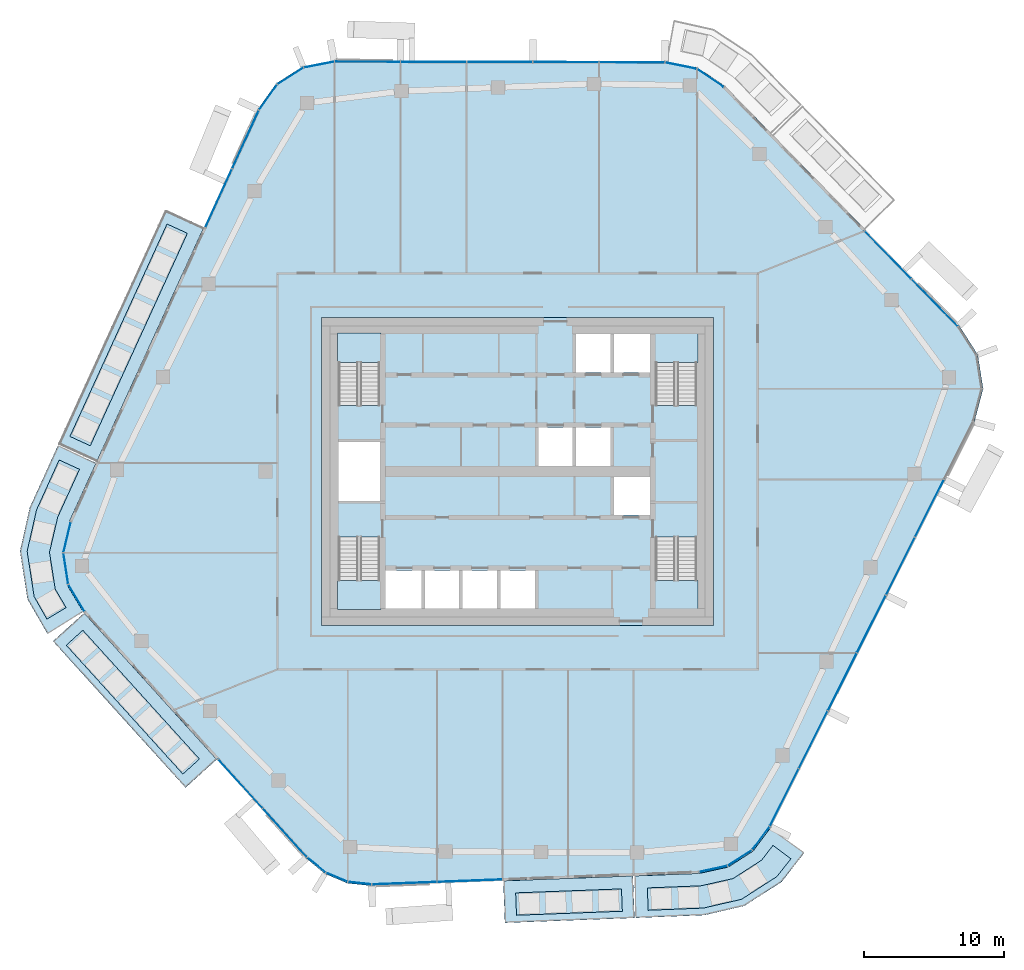
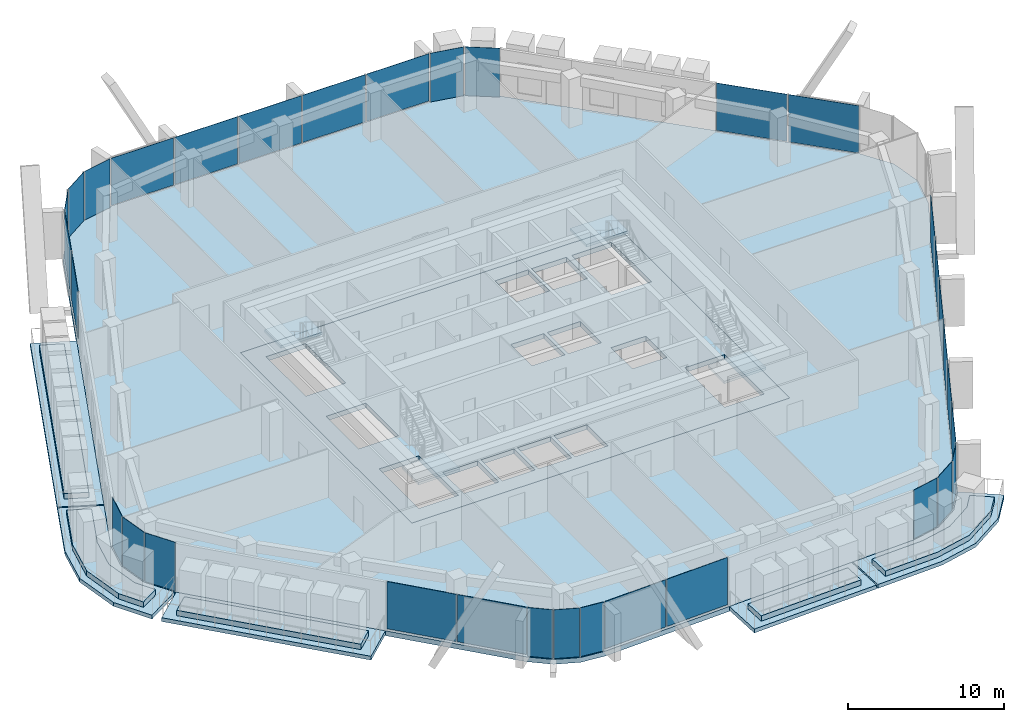
# One storey, part 11 of 24: 33 plates, 16 slabs, 15 elements without a shape of their own.
"""IFC4 building model written with IfcOpenShell, lengths in metres."""

from ifc_helpers import new_model, si_unit, direction, frame, origin, origin_2d, place, context, subcontext, project, spatial, polyline, rectangle, outline, extrude, material, layer, layer_set, type_object, element, aggregate, save


model = new_model("IFC4")

# Units and contexts
model_context = context("Model", 3, precision=1e-05, world=origin(), true_north=direction((0.0, 1.0)))
body_context = subcontext(model_context, "Body", "Model", "MODEL_VIEW")
ifc_project = project(units=[si_unit("LENGTHUNIT", "METRE"), si_unit("AREAUNIT", "SQUARE_METRE"), si_unit("VOLUMEUNIT", "CUBIC_METRE"), si_unit("PLANEANGLEUNIT", "RADIAN"), si_unit("MASSUNIT", "GRAM", prefix="KILO")], contexts=[model_context])

# Site, building, storey
site_placement = place(None, origin())
site = spatial("IfcSite", under=ifc_project, at=site_placement, CompositionType="ELEMENT")
building_placement = place(site_placement, origin())
building = spatial("IfcBuilding", under=site, at=building_placement, Name="Dongbaek Canopy Tower", CompositionType="ELEMENT")
storey_placement = place(building_placement, frame((0.0, 0.0, 311.0)))
storey = spatial("IfcBuildingStorey", under=building, at=storey_placement, Name="L66", CompositionType="ELEMENT", Elevation=311.0)

# Slabs
ifc_material_1 = material(Name="Concrete C40/50", Category="concrete")
ifc_layer_1 = layer(ifc_material_1, 0.300048828125)
ifc_layer_set_1 = layer_set([ifc_layer_1], Name="Balcony slab 300")
slab_type_1 = type_object("IfcSlabType", Name="Balcony slab 300", PredefinedType="FLOOR", material=ifc_layer_set_1)
slab_1_placement = place(storey_placement, frame((0.0, 0.0, -0.300048828125)))
element("IfcSlab", 1, at=slab_1_placement, inside=storey, type_object=slab_type_1, Name="Balcony L66 2", PredefinedType="FLOOR", context=body_context, shape_type="SweptSolid", body=[
    extrude(outline(polyline([(-22.43017578125, 17.41015625), (-30.07373046875, 0.687744140625), (-32.80224609375, 1.934814453125), (-25.15869140625, 18.657470703125), (-22.43017578125, 17.41015625)])), origin(), (0.0, 0.0, 1.0), 0.300048828125),
])
slab_2_placement = place(storey_placement, frame((0.0, 0.0, -0.300048828125)))
element("IfcSlab", 2, at=slab_2_placement, inside=storey, type_object=slab_type_1, Name="Balcony L66 6", PredefinedType="FLOOR", context=body_context, shape_type="SweptSolid", body=[
    extrude(outline(polyline([(-30.115234375, 0.5966796875), (-32.015625, -3.56103515625), (-32.5537109375, -5.812255859375), (-32.19970703125, -8.099609375), (-31.031982421875, -10.039794921875), (-33.6025390625, -11.5869140625), (-35.020263671875, -9.12158203125), (-35.55126953125, -5.690673828125), (-34.852294921875, -2.584228515625), (-32.84375, 1.843994140625), (-30.115234375, 0.5966796875)])), origin(), (0.0, 0.0, 1.0), 0.300048828125),
])
slab_3_placement = place(storey_placement, frame((0.0, 0.0, -0.300048828125)))
element("IfcSlab", 3, at=slab_3_placement, inside=storey, type_object=slab_type_1, Name="Balcony L66 3", PredefinedType="FLOOR", context=body_context, shape_type="SweptSolid", body=[
    extrude(outline(polyline([(-30.97265625, -10.119873046875), (-21.50048828125, -20.580078125), (-23.724365234375, -22.59375), (-33.196533203125, -12.133544921875), (-30.97265625, -10.119873046875)])), origin(), (0.0, 0.0, 1.0), 0.300048828125),
])
slab_4_placement = place(storey_placement, frame((0.0, 0.0, -0.300048828125)))
element("IfcSlab", 4, at=slab_4_placement, inside=storey, type_object=slab_type_1, Name="Balcony L66 4", PredefinedType="FLOOR", context=body_context, shape_type="SweptSolid", body=[
    extrude(outline(polyline([(-1.025146484375, -29.25341796875), (8.2333984375, -28.904052734375), (8.3466796875, -31.90185546875), (-0.912109375, -32.25146484375), (-1.025146484375, -29.25341796875)])), origin(), (0.0, 0.0, 1.0), 0.300048828125),
])
slab_5_placement = place(storey_placement, frame((0.0, 0.0, -0.300048828125)))
element("IfcSlab", 5, at=slab_5_placement, inside=storey, type_object=slab_type_1, Name="Balcony L66 7", PredefinedType="FLOOR", context=body_context, shape_type="SweptSolid", body=[
    extrude(outline(polyline([(8.33349609375, -28.900390625), (12.962646484375, -28.7255859375), (15.0380859375, -28.27099609375), (16.82470703125, -27.12158203125), (18.06884765625, -25.46142578125), (20.469482421875, -27.2607421875), (18.868896484375, -29.3173828125), (16.188720703125, -31.04150390625), (13.341796875, -31.70166015625), (8.446533203125, -31.898193359375), (8.33349609375, -28.900390625)])), origin(), (0.0, 0.0, 1.0), 0.300048828125),
])

# Curtain wall, plates
ifc_material_2 = material(Name="Aluminium 6063-T6 pale anodised", Category="aluminium")
ifc_layer_2 = layer(ifc_material_2, 0.199951171875)
ifc_layer_set_2 = layer_set([ifc_layer_2], Name="CW-1 unitised tower curtain wall")
curtain_wall_type = type_object("IfcCurtainWallType", Name="CW-1 unitised tower curtain wall", PredefinedType="NOTDEFINED", material=ifc_layer_set_2)
curtain_wall_1_placement = place(storey_placement, origin())
curtain_wall_1 = element("IfcCurtainWall", 6, at=curtain_wall_1_placement, inside=storey, type_object=curtain_wall_type, Name="CW-1 curtain wall F0.1", PredefinedType="NOTDEFINED")
ifc_material_3 = material(Name="Clear laminated glass", Category="glass")
ifc_layer_3 = layer(ifc_material_3, 0.028076171875)
ifc_layer_set_3 = layer_set([ifc_layer_3], Name="CW-1 glazed panel 28")
plate_type = type_object("IfcPlateType", Name="CW-1 glazed panel 28", PredefinedType="CURTAIN_PANEL", material=ifc_layer_set_3)
plate_1_placement = place(storey_placement, frame((29.800537109375, 12.048095703125, 0.1201171875), z_axis=(0.0, 0.0, 1.0), x_axis=(-0.699349233203, 0.714780141035, 0.0)))
plate_1 = element("IfcPlate", 7, at=plate_1_placement, type_object=plate_type, Name="CW-1 panel F0.1.1.1", PredefinedType="CURTAIN_PANEL", context=body_context, shape_type="SweptSolid", body=[
    extrude(rectangle(XDim=4.69287109375, YDim=0.028076171875, at=origin_2d()), origin(), (0.0, 0.0, 1.0), 3.699951171875),
])
plate_2_placement = place(storey_placement, frame((26.456298828125, 15.46630859375, 0.1201171875), z_axis=(0.0, 0.0, 1.0), x_axis=(-0.699349233203, 0.714780141035, 0.0)))
plate_2 = element("IfcPlate", 8, at=plate_2_placement, type_object=plate_type, Name="CW-1 panel F0.1.2.1", PredefinedType="CURTAIN_PANEL", context=body_context, shape_type="SweptSolid", body=[
    extrude(rectangle(XDim=4.703369140625, YDim=0.028076171875, at=origin_2d()), origin(), (0.0, 0.0, 1.0), 3.699951171875),
])
aggregate(curtain_wall_1, [plate_1, plate_2])

curtain_wall_2_placement = place(storey_placement, origin())
curtain_wall_2 = element("IfcCurtainWall", 9, at=curtain_wall_2_placement, inside=storey, type_object=curtain_wall_type, Name="CW-1 curtain wall K1.1", PredefinedType="NOTDEFINED")
plate_3_placement = place(storey_placement, frame((13.779541015625, 28.09326171875, 0.0), z_axis=(0.0, 0.0, 1.0), x_axis=(-0.826588605732, 0.562806606992, 0.0)))
plate_3 = element("IfcPlate", 10, at=plate_3_placement, type_object=plate_type, Name="CW-1 panel K1.1.1.1", PredefinedType="CURTAIN_PANEL", context=body_context, shape_type="SweptSolid", body=[
    extrude(rectangle(XDim=2.252685546875, YDim=0.028076171875, at=origin_2d()), origin(), (0.0, 0.0, 1.0), 3.820068359375),
])
plate_4_placement = place(storey_placement, frame((11.6689453125, 28.983642578125, 0.0), z_axis=(0.0, 0.0, 1.0), x_axis=(-0.979924768764, 0.199367619142, 0.0)))
plate_4 = element("IfcPlate", 11, at=plate_4_placement, type_object=plate_type, Name="CW-1 panel K1.1.2.1", PredefinedType="CURTAIN_PANEL", context=body_context, shape_type="SweptSolid", body=[
    extrude(rectangle(XDim=2.252685546875, YDim=0.028076171875, at=origin_2d()), origin(), (0.0, 0.0, 1.0), 3.820068359375),
])
aggregate(curtain_wall_2, [plate_3, plate_4])

curtain_wall_3_placement = place(storey_placement, origin())
curtain_wall_3 = element("IfcCurtainWall", 12, at=curtain_wall_3_placement, inside=storey, type_object=curtain_wall_type, Name="CW-1 curtain wall F1.1", PredefinedType="NOTDEFINED")
plate_5_placement = place(storey_placement, frame((8.165771484375, 29.2216796875, 0.1201171875), z_axis=(0.0, 0.0, 1.0), x_axis=(-0.999997623445, 0.002180161438, 0.0)))
plate_5 = element("IfcPlate", 13, at=plate_5_placement, type_object=plate_type, Name="CW-1 panel F1.1.1.1", PredefinedType="CURTAIN_PANEL", context=body_context, shape_type="SweptSolid", body=[
    extrude(rectangle(XDim=4.63232421875, YDim=0.028076171875, at=origin_2d()), origin(), (0.0, 0.0, 1.0), 3.699951171875),
])
plate_6_placement = place(storey_placement, frame((3.444580078125, 29.23193359375, 0.1201171875), z_axis=(0.0, 0.0, 1.0), x_axis=(-0.999997623445, 0.002180161438, 0.0)))
plate_6 = element("IfcPlate", 14, at=plate_6_placement, type_object=plate_type, Name="CW-1 panel F1.1.2.1", PredefinedType="CURTAIN_PANEL", context=body_context, shape_type="SweptSolid", body=[
    extrude(rectangle(XDim=4.64208984375, YDim=0.028076171875, at=origin_2d()), origin(), (0.0, 0.0, 1.0), 3.699951171875),
])
plate_7_placement = place(storey_placement, frame((-1.281494140625, 29.242431640625, 0.1201171875), z_axis=(0.0, 0.0, 1.0), x_axis=(-0.999997623445, 0.002180161438, 0.0)))
plate_7 = element("IfcPlate", 15, at=plate_7_placement, type_object=plate_type, Name="CW-1 panel F1.1.3.1", PredefinedType="CURTAIN_PANEL", context=body_context, shape_type="SweptSolid", body=[
    extrude(rectangle(XDim=4.64208984375, YDim=0.028076171875, at=origin_2d()), origin(), (0.0, 0.0, 1.0), 3.699951171875),
])
plate_8_placement = place(storey_placement, frame((-6.0078125, 29.252685546875, 0.1201171875), z_axis=(0.0, 0.0, 1.0), x_axis=(-0.999997623445, 0.002180161438, 0.0)))
plate_8 = element("IfcPlate", 16, at=plate_8_placement, type_object=plate_type, Name="CW-1 panel F1.1.4.1", PredefinedType="CURTAIN_PANEL", context=body_context, shape_type="SweptSolid", body=[
    extrude(rectangle(XDim=4.64208984375, YDim=0.028076171875, at=origin_2d()), origin(), (0.0, 0.0, 1.0), 3.699951171875),
])
plate_9_placement = place(storey_placement, frame((-10.72900390625, 29.262939453125, 0.1201171875), z_axis=(0.0, 0.0, 1.0), x_axis=(-0.999997623445, 0.002180161438, 0.0)))
plate_9 = element("IfcPlate", 17, at=plate_9_placement, type_object=plate_type, Name="CW-1 panel F1.1.5.1", PredefinedType="CURTAIN_PANEL", context=body_context, shape_type="SweptSolid", body=[
    extrude(rectangle(XDim=4.632568359375, YDim=0.028076171875, at=origin_2d()), origin(), (0.0, 0.0, 1.0), 3.699951171875),
])
aggregate(curtain_wall_3, [plate_5, plate_6, plate_7, plate_8, plate_9])

curtain_wall_4_placement = place(storey_placement, origin())
curtain_wall_4 = element("IfcCurtainWall", 18, at=curtain_wall_4_placement, inside=storey, type_object=curtain_wall_type, Name="CW-1 curtain wall K2.1", PredefinedType="NOTDEFINED")
plate_10_placement = place(storey_placement, frame((-14.1904296875, 29.0576171875, 0.0), z_axis=(0.0, 0.0, 1.0), x_axis=(-0.982281140871, -0.187413340747, 0.0)))
plate_10 = element("IfcPlate", 19, at=plate_10_placement, type_object=plate_type, Name="CW-1 panel K2.1.1.1", PredefinedType="CURTAIN_PANEL", context=body_context, shape_type="SweptSolid", body=[
    extrude(rectangle(XDim=2.161865234375, YDim=0.028076171875, at=origin_2d()), origin(), (0.0, 0.0, 1.0), 3.820068359375),
])
plate_11_placement = place(storey_placement, frame((-16.234619140625, 28.243896484375, 0.0), z_axis=(0.0, 0.0, 1.0), x_axis=(-0.841930753332, -0.539585587829, 0.0)))
plate_11 = element("IfcPlate", 20, at=plate_11_placement, type_object=plate_type, Name="CW-1 panel K2.1.2.1", PredefinedType="CURTAIN_PANEL", context=body_context, shape_type="SweptSolid", body=[
    extrude(rectangle(XDim=2.152099609375, YDim=0.028076171875, at=origin_2d()), origin(), (0.0, 0.0, 1.0), 3.820068359375),
])
plate_12_placement = place(storey_placement, frame((-17.827880859375, 26.726318359375, 0.0), z_axis=(0.0, 0.0, 1.0), x_axis=(-0.580575111889, -0.814206693325, 0.0)))
plate_12 = element("IfcPlate", 21, at=plate_12_placement, type_object=plate_type, Name="CW-1 panel K2.1.3.1", PredefinedType="CURTAIN_PANEL", context=body_context, shape_type="SweptSolid", body=[
    extrude(rectangle(XDim=2.161865234375, YDim=0.028076171875, at=origin_2d()), origin(), (0.0, 0.0, 1.0), 3.820068359375),
])
aggregate(curtain_wall_4, [plate_10, plate_11, plate_12])

curtain_wall_5_placement = place(storey_placement, origin())
curtain_wall_5 = element("IfcCurtainWall", 22, at=curtain_wall_5_placement, inside=storey, type_object=curtain_wall_type, Name="CW-1 curtain wall F2.1", PredefinedType="NOTDEFINED")
plate_13_placement = place(storey_placement, frame((-19.4384765625, 23.71484375, 0.1201171875), z_axis=(0.0, 0.0, 1.0), x_axis=(-0.415712926909, -0.909495883664, 0.0)))
plate_13 = element("IfcPlate", 23, at=plate_13_placement, type_object=plate_type, Name="CW-1 panel F2.1.1.1", PredefinedType="CURTAIN_PANEL", context=body_context, shape_type="SweptSolid", body=[
    extrude(rectangle(XDim=4.528076171875, YDim=0.028076171875, at=origin_2d()), origin(), (0.0, 0.0, 1.0), 3.699951171875),
])
plate_14_placement = place(storey_placement, frame((-21.357666015625, 19.515869140625, 0.1201171875), z_axis=(0.0, 0.0, 1.0), x_axis=(-0.415712926909, -0.909495883664, 0.0)))
plate_14 = element("IfcPlate", 24, at=plate_14_placement, type_object=plate_type, Name="CW-1 panel F2.1.2.1", PredefinedType="CURTAIN_PANEL", context=body_context, shape_type="SweptSolid", body=[
    extrude(rectangle(XDim=4.53759765625, YDim=0.028076171875, at=origin_2d()), origin(), (0.0, 0.0, 1.0), 3.699951171875),
])
aggregate(curtain_wall_5, [plate_13, plate_14])

curtain_wall_6_placement = place(storey_placement, origin())
curtain_wall_6 = element("IfcCurtainWall", 25, at=curtain_wall_6_placement, inside=storey, type_object=curtain_wall_type, Name="CW-1 curtain wall K3.1", PredefinedType="NOTDEFINED")
plate_15_placement = place(storey_placement, frame((-32.186279296875, -4.705078125, 0.0), z_axis=(0.0, 0.0, 1.0), x_axis=(-0.232482028187, -0.972600692253, 0.0)))
plate_15 = element("IfcPlate", 26, at=plate_15_placement, type_object=plate_type, Name="CW-1 panel K3.1.1.1", PredefinedType="CURTAIN_PANEL", context=body_context, shape_type="SweptSolid", body=[
    extrude(rectangle(XDim=2.201171875, YDim=0.028076171875, at=origin_2d()), origin(), (0.0, 0.0, 1.0), 3.820068359375),
])
plate_16_placement = place(storey_placement, frame((-32.27783203125, -6.940673828125, 0.0), z_axis=(0.0, 0.0, 1.0), x_axis=(0.15296362008, -0.988231820441, 0.0)))
plate_16 = element("IfcPlate", 27, at=plate_16_placement, type_object=plate_type, Name="CW-1 panel K3.1.2.1", PredefinedType="CURTAIN_PANEL", context=body_context, shape_type="SweptSolid", body=[
    extrude(rectangle(XDim=2.191162109375, YDim=0.028076171875, at=origin_2d()), origin(), (0.0, 0.0, 1.0), 3.820068359375),
])
plate_17_placement = place(storey_placement, frame((-31.5146484375, -9.0439453125, 0.0), z_axis=(0.0, 0.0, 1.0), x_axis=(0.51564634211, -0.856801523031, 0.0)))
plate_17 = element("IfcPlate", 28, at=plate_17_placement, type_object=plate_type, Name="CW-1 panel K3.1.3.1", PredefinedType="CURTAIN_PANEL", context=body_context, shape_type="SweptSolid", body=[
    extrude(rectangle(XDim=2.201171875, YDim=0.028076171875, at=origin_2d()), origin(), (0.0, 0.0, 1.0), 3.820068359375),
])
aggregate(curtain_wall_6, [plate_15, plate_16, plate_17])

curtain_wall_7_placement = place(storey_placement, origin())
curtain_wall_7 = element("IfcCurtainWall", 29, at=curtain_wall_7_placement, inside=storey, type_object=curtain_wall_type, Name="CW-1 curtain wall F3.1", PredefinedType="NOTDEFINED")
plate_18_placement = place(storey_placement, frame((-19.802978515625, -22.305908203125, 0.1201171875), z_axis=(0.0, 0.0, 1.0), x_axis=(0.671224526112, -0.741254096478, 0.0)))
plate_18 = element("IfcPlate", 30, at=plate_18_placement, type_object=plate_type, Name="CW-1 panel F3.1.1.1", PredefinedType="CURTAIN_PANEL", context=body_context, shape_type="SweptSolid", body=[
    extrude(rectangle(XDim=4.6533203125, YDim=0.028076171875, at=origin_2d()), origin(), (0.0, 0.0, 1.0), 3.699951171875),
])
plate_19_placement = place(storey_placement, frame((-16.625732421875, -25.814697265625, 0.1201171875), z_axis=(0.0, 0.0, 1.0), x_axis=(0.671224526112, -0.741254096478, 0.0)))
plate_19 = element("IfcPlate", 31, at=plate_19_placement, type_object=plate_type, Name="CW-1 panel F3.1.2.1", PredefinedType="CURTAIN_PANEL", context=body_context, shape_type="SweptSolid", body=[
    extrude(rectangle(XDim=4.64599609375, YDim=0.028076171875, at=origin_2d()), origin(), (0.0, 0.0, 1.0), 3.699951171875),
])
aggregate(curtain_wall_7, [plate_18, plate_19])

curtain_wall_8_placement = place(storey_placement, origin())
curtain_wall_8 = element("IfcCurtainWall", 32, at=curtain_wall_8_placement, inside=storey, type_object=curtain_wall_type, Name="CW-1 curtain wall K4.1", PredefinedType="NOTDEFINED")
plate_20_placement = place(storey_placement, frame((-14.375732421875, -28.11376953125, 0.0), z_axis=(0.0, 0.0, 1.0), x_axis=(0.771568100588, -0.636146733195, 0.0)))
plate_20 = element("IfcPlate", 33, at=plate_20_placement, type_object=plate_type, Name="CW-1 panel K4.1.1.1", PredefinedType="CURTAIN_PANEL", context=body_context, shape_type="SweptSolid", body=[
    extrude(rectangle(XDim=1.63330078125, YDim=0.028076171875, at=origin_2d()), origin(), (0.0, 0.0, 1.0), 3.820068359375),
])
plate_21_placement = place(storey_placement, frame((-12.92529296875, -28.991943359375, 0.0), z_axis=(0.0, 0.0, 1.0), x_axis=(0.921602198627, -0.388135784855, 0.0)))
plate_21 = element("IfcPlate", 34, at=plate_21_placement, type_object=plate_type, Name="CW-1 panel K4.1.2.1", PredefinedType="CURTAIN_PANEL", context=body_context, shape_type="SweptSolid", body=[
    extrude(rectangle(XDim=1.6259765625, YDim=0.028076171875, at=origin_2d()), origin(), (0.0, 0.0, 1.0), 3.820068359375),
])
plate_22_placement = place(storey_placement, frame((-11.283935546875, -29.416015625, 0.0), z_axis=(0.0, 0.0, 1.0), x_axis=(0.994203592294, -0.107513799439, 0.0)))
plate_22 = element("IfcPlate", 35, at=plate_22_placement, type_object=plate_type, Name="CW-1 panel K4.1.3.1", PredefinedType="CURTAIN_PANEL", context=body_context, shape_type="SweptSolid", body=[
    extrude(rectangle(XDim=1.63330078125, YDim=0.028076171875, at=origin_2d()), origin(), (0.0, 0.0, 1.0), 3.820068359375),
])
aggregate(curtain_wall_8, [plate_20, plate_21, plate_22])

curtain_wall_9_placement = place(storey_placement, origin())
curtain_wall_9 = element("IfcCurtainWall", 36, at=curtain_wall_9_placement, inside=storey, type_object=curtain_wall_type, Name="CW-1 curtain wall F4.1", PredefinedType="NOTDEFINED")
plate_23_placement = place(storey_placement, frame((-8.09423828125, -29.420166015625, 0.1201171875), z_axis=(0.0, 0.0, 1.0), x_axis=(0.999288649502, 0.037712000431, 0.0)))
plate_23 = element("IfcPlate", 37, at=plate_23_placement, type_object=plate_type, Name="CW-1 panel F4.1.1.1", PredefinedType="CURTAIN_PANEL", context=body_context, shape_type="SweptSolid", body=[
    extrude(rectangle(XDim=4.59130859375, YDim=0.028076171875, at=origin_2d()), origin(), (0.0, 0.0, 1.0), 3.699951171875),
])
plate_24_placement = place(storey_placement, frame((-3.41845703125, -29.24365234375, 0.1201171875), z_axis=(0.0, 0.0, 1.0), x_axis=(0.999288649502, 0.037712000431, 0.0)))
plate_24 = element("IfcPlate", 38, at=plate_24_placement, type_object=plate_type, Name="CW-1 panel F4.1.2.1", PredefinedType="CURTAIN_PANEL", context=body_context, shape_type="SweptSolid", body=[
    extrude(rectangle(XDim=4.5986328125, YDim=0.028076171875, at=origin_2d()), origin(), (0.0, 0.0, 1.0), 3.699951171875),
])
aggregate(curtain_wall_9, [plate_23, plate_24])

curtain_wall_10_placement = place(storey_placement, origin())
curtain_wall_10 = element("IfcCurtainWall", 39, at=curtain_wall_10_placement, inside=storey, type_object=curtain_wall_type, Name="CW-1 curtain wall K5.1", PredefinedType="NOTDEFINED")
plate_25_placement = place(storey_placement, frame((13.974609375, -28.401611328125, 0.0), z_axis=(0.0, 0.0, 1.0), x_axis=(0.976826650788, 0.21403199366, 0.0)))
plate_25 = element("IfcPlate", 40, at=plate_25_placement, type_object=plate_type, Name="CW-1 panel K5.1.1.1", PredefinedType="CURTAIN_PANEL", context=body_context, shape_type="SweptSolid", body=[
    extrude(rectangle(XDim=2.013671875, YDim=0.028076171875, at=origin_2d()), origin(), (0.0, 0.0, 1.0), 3.820068359375),
])
plate_26_placement = place(storey_placement, frame((15.877197265625, -27.612060546875, 0.0), z_axis=(0.0, 0.0, 1.0), x_axis=(0.841003829128, 0.541029166858, 0.0)))
plate_26 = element("IfcPlate", 41, at=plate_26_placement, type_object=plate_type, Name="CW-1 panel K5.1.2.1", PredefinedType="CURTAIN_PANEL", context=body_context, shape_type="SweptSolid", body=[
    extrude(rectangle(XDim=2.004638671875, YDim=0.028076171875, at=origin_2d()), origin(), (0.0, 0.0, 1.0), 3.820068359375),
])
plate_27_placement = place(storey_placement, frame((17.384521484375, -26.207763671875, 0.0), z_axis=(0.0, 0.0, 1.0), x_axis=(0.599740160664, 0.800194813584, 0.0)))
plate_27 = element("IfcPlate", 42, at=plate_27_placement, type_object=plate_type, Name="CW-1 panel K5.1.3.1", PredefinedType="CURTAIN_PANEL", context=body_context, shape_type="SweptSolid", body=[
    extrude(rectangle(XDim=2.013671875, YDim=0.028076171875, at=origin_2d()), origin(), (0.0, 0.0, 1.0), 3.820068359375),
])
aggregate(curtain_wall_10, [plate_25, plate_26, plate_27])

curtain_wall_11_placement = place(storey_placement, origin())
curtain_wall_11 = element("IfcCurtainWall", 43, at=curtain_wall_11_placement, inside=storey, type_object=curtain_wall_type, Name="CW-1 curtain wall F5.1", PredefinedType="NOTDEFINED")
plate_28_placement = place(storey_placement, frame((19.048828125, -23.3056640625, 0.1201171875), z_axis=(0.0, 0.0, 1.0), x_axis=(0.448598466859, 0.893733414129, 0.0)))
plate_28 = element("IfcPlate", 44, at=plate_28_placement, type_object=plate_type, Name="CW-1 panel F5.1.1.1", PredefinedType="CURTAIN_PANEL", context=body_context, shape_type="SweptSolid", body=[
    extrude(rectangle(XDim=4.532470703125, YDim=0.028076171875, at=origin_2d()), origin(), (0.0, 0.0, 1.0), 3.699951171875),
])
plate_29_placement = place(storey_placement, frame((21.121826171875, -19.17578125, 0.1201171875), z_axis=(0.0, 0.0, 1.0), x_axis=(0.448598466859, 0.893733414129, 0.0)))
plate_29 = element("IfcPlate", 45, at=plate_29_placement, type_object=plate_type, Name="CW-1 panel F5.1.2.1", PredefinedType="CURTAIN_PANEL", context=body_context, shape_type="SweptSolid", body=[
    extrude(rectangle(XDim=4.54150390625, YDim=0.028076171875, at=origin_2d()), origin(), (0.0, 0.0, 1.0), 3.699951171875),
])
plate_30_placement = place(storey_placement, frame((23.19677734375, -15.0419921875, 0.1201171875), z_axis=(0.0, 0.0, 1.0), x_axis=(0.448598466859, 0.893733414129, 0.0)))
plate_30 = element("IfcPlate", 46, at=plate_30_placement, type_object=plate_type, Name="CW-1 panel F5.1.3.1", PredefinedType="CURTAIN_PANEL", context=body_context, shape_type="SweptSolid", body=[
    extrude(rectangle(XDim=4.54150390625, YDim=0.028076171875, at=origin_2d()), origin(), (0.0, 0.0, 1.0), 3.699951171875),
])
plate_31_placement = place(storey_placement, frame((25.271728515625, -10.907958984375, 0.1201171875), z_axis=(0.0, 0.0, 1.0), x_axis=(0.448598466859, 0.893733414129, 0.0)))
plate_31 = element("IfcPlate", 47, at=plate_31_placement, type_object=plate_type, Name="CW-1 panel F5.1.4.1", PredefinedType="CURTAIN_PANEL", context=body_context, shape_type="SweptSolid", body=[
    extrude(rectangle(XDim=4.54150390625, YDim=0.028076171875, at=origin_2d()), origin(), (0.0, 0.0, 1.0), 3.699951171875),
])
plate_32_placement = place(storey_placement, frame((27.3466796875, -6.774169921875, 0.1201171875), z_axis=(0.0, 0.0, 1.0), x_axis=(0.448598466859, 0.893733414129, 0.0)))
plate_32 = element("IfcPlate", 48, at=plate_32_placement, type_object=plate_type, Name="CW-1 panel F5.1.5.1", PredefinedType="CURTAIN_PANEL", context=body_context, shape_type="SweptSolid", body=[
    extrude(rectangle(XDim=4.54150390625, YDim=0.028076171875, at=origin_2d()), origin(), (0.0, 0.0, 1.0), 3.699951171875),
])
plate_33_placement = place(storey_placement, frame((29.421630859375, -2.640380859375, 0.1201171875), z_axis=(0.0, 0.0, 1.0), x_axis=(0.448598466859, 0.893733414129, 0.0)))
plate_33 = element("IfcPlate", 49, at=plate_33_placement, type_object=plate_type, Name="CW-1 panel F5.1.6.1", PredefinedType="CURTAIN_PANEL", context=body_context, shape_type="SweptSolid", body=[
    extrude(rectangle(XDim=4.54150390625, YDim=0.028076171875, at=origin_2d()), origin(), (0.0, 0.0, 1.0), 3.699951171875),
])
aggregate(curtain_wall_11, [plate_28, plate_29, plate_30, plate_31, plate_32, plate_33])

# Slab
ifc_material_4 = material(Name="Concrete C40/50", Category="concrete")
ifc_layer_4 = layer(ifc_material_4, 0.3798828125)
ifc_layer_set_4 = layer_set([ifc_layer_4], Name="Core floor slab 380 Concrete C40/50")
slab_type_2 = type_object("IfcSlabType", Name="Core floor slab 380 Concrete C40/50", PredefinedType="FLOOR", material=ifc_layer_set_4)
slab_6_placement = place(storey_placement, frame((0.0, 0.0, -0.3798828125)))
element("IfcSlab", 50, at=slab_6_placement, inside=storey, type_object=slab_type_2, Name="Core floor slab L66", PredefinedType="FLOOR", context=body_context, shape_type="SweptSolid", body=[
    extrude(outline(polyline([(14.0, -11.0), (14.0, 11.0), (-14.0, 11.0), (-14.0, -11.0), (14.0, -11.0)]), holes=[polyline([(-12.800048828125, 2.10009765625), (-9.85009765625, 2.10009765625), (-9.85009765625, -2.10009765625), (-12.800048828125, -2.10009765625), (-12.800048828125, 2.10009765625)]), polyline([(6.625, 9.800048828125), (6.625, 7.074951171875), (4.175048828125, 7.074951171875), (4.175048828125, 9.800048828125), (6.625, 9.800048828125)]), polyline([(9.449951171875, 7.074951171875), (6.875, 7.074951171875), (6.875, 9.800048828125), (9.449951171875, 9.800048828125), (9.449951171875, 7.074951171875)]), polyline([(1.47509765625, 0.39990234375), (1.47509765625, 3.125), (3.925048828125, 3.125), (3.925048828125, 0.39990234375), (1.47509765625, 0.39990234375)]), polyline([(4.175048828125, 0.39990234375), (4.175048828125, 3.125), (6.625, 3.125), (6.625, 0.39990234375), (4.175048828125, 0.39990234375)]), polyline([(9.449951171875, -3.125), (6.875, -3.125), (6.875, -0.39990234375), (9.449951171875, -0.39990234375), (9.449951171875, -3.125)]), polyline([(-9.449951171875, -7.074951171875), (-6.875, -7.074951171875), (-6.875, -9.800048828125), (-9.449951171875, -9.800048828125), (-9.449951171875, -7.074951171875)]), polyline([(-6.625, -9.800048828125), (-6.625, -7.074951171875), (-4.175048828125, -7.074951171875), (-4.175048828125, -9.800048828125), (-6.625, -9.800048828125)]), polyline([(-3.925048828125, -9.800048828125), (-3.925048828125, -7.074951171875), (-1.47509765625, -7.074951171875), (-1.47509765625, -9.800048828125), (-3.925048828125, -9.800048828125)]), polyline([(-1.22509765625, -9.800048828125), (-1.22509765625, -7.074951171875), (1.22509765625, -7.074951171875), (1.22509765625, -9.800048828125), (-1.22509765625, -9.800048828125)]), polyline([(12.800048828125, 4.70068359375), (12.800048828125, 9.800048828125), (9.85009765625, 9.800048828125), (9.85009765625, 4.70068359375), (12.800048828125, 4.70068359375)]), polyline([(-9.85009765625, 4.70068359375), (-9.85009765625, 9.800048828125), (-12.800048828125, 9.800048828125), (-12.800048828125, 4.70068359375), (-9.85009765625, 4.70068359375)]), polyline([(9.85009765625, -4.70068359375), (9.85009765625, -9.800048828125), (12.800048828125, -9.800048828125), (12.800048828125, -4.70068359375), (9.85009765625, -4.70068359375)]), polyline([(-12.800048828125, -4.70068359375), (-12.800048828125, -9.800048828125), (-9.85009765625, -9.800048828125), (-9.85009765625, -4.70068359375), (-12.800048828125, -4.70068359375)])]), origin(), (0.0, 0.0, 1.0), 0.3798828125),
])

# Stair, slab
ifc_material_5 = material(Name="Concrete C40/50", Category="concrete")
stair_type = type_object("IfcStairType", Name="Core exit stair", PredefinedType="HALF_TURN_STAIR", material=ifc_material_5)
stair_1_placement = place(storey_placement, origin())
stair_1 = element("IfcStair", 51, at=stair_1_placement, inside=storey, type_object=stair_type, Name="L66 exit stair A", PredefinedType="HALF_TURN_STAIR")
ifc_material_6 = material(Name="Concrete C40/50", Category="concrete")
ifc_layer_5 = layer(ifc_material_6, 0.199951171875)
ifc_layer_set_5 = layer_set([ifc_layer_5], Name="Core stair landing 200")
slab_type_3 = type_object("IfcSlabType", Name="Core stair landing 200", PredefinedType="LANDING", material=ifc_layer_set_5)
slab_7_placement = place(storey_placement, frame((0.0, 0.0, 1.89990234375)))
slab_7 = element("IfcSlab", 52, at=slab_7_placement, type_object=slab_type_3, Name="ST-A landing 1", PredefinedType="LANDING", context=body_context, shape_type="SweptSolid", body=[
    extrude(outline(polyline([(12.875, 7.780029296875), (12.875, 9.875), (9.77490234375, 9.875), (9.77490234375, 7.780029296875), (12.875, 7.780029296875)])), origin(), (0.0, 0.0, 1.0), 0.2001953125),
])
aggregate(stair_1, [slab_7])

stair_2_placement = place(storey_placement, origin())
stair_2 = element("IfcStair", 53, at=stair_2_placement, inside=storey, type_object=stair_type, Name="L66 exit stair C", PredefinedType="HALF_TURN_STAIR")
slab_8_placement = place(storey_placement, frame((0.0, 0.0, 1.89990234375)))
slab_8 = element("IfcSlab", 54, at=slab_8_placement, type_object=slab_type_3, Name="ST-C landing 1", PredefinedType="LANDING", context=body_context, shape_type="SweptSolid", body=[
    extrude(outline(polyline([(-9.77490234375, 7.780029296875), (-9.77490234375, 9.875), (-12.875, 9.875), (-12.875, 7.780029296875), (-9.77490234375, 7.780029296875)])), origin(), (0.0, 0.0, 1.0), 0.2001953125),
])
aggregate(stair_2, [slab_8])

stair_3_placement = place(storey_placement, origin())
stair_3 = element("IfcStair", 55, at=stair_3_placement, inside=storey, type_object=stair_type, Name="L66 exit stair B", PredefinedType="HALF_TURN_STAIR")
slab_9_placement = place(storey_placement, frame((0.0, 0.0, 1.89990234375)))
slab_9 = element("IfcSlab", 56, at=slab_9_placement, type_object=slab_type_3, Name="ST-B landing 1", PredefinedType="LANDING", context=body_context, shape_type="SweptSolid", body=[
    extrude(outline(polyline([(9.77490234375, -7.780029296875), (9.77490234375, -9.875), (12.875, -9.875), (12.875, -7.780029296875), (9.77490234375, -7.780029296875)])), origin(), (0.0, 0.0, 1.0), 0.2001953125),
])
aggregate(stair_3, [slab_9])

stair_4_placement = place(storey_placement, origin())
stair_4 = element("IfcStair", 57, at=stair_4_placement, inside=storey, type_object=stair_type, Name="L66 exit stair D", PredefinedType="HALF_TURN_STAIR")
slab_10_placement = place(storey_placement, frame((0.0, 0.0, 1.89990234375)))
slab_10 = element("IfcSlab", 58, at=slab_10_placement, type_object=slab_type_3, Name="ST-D landing 1", PredefinedType="LANDING", context=body_context, shape_type="SweptSolid", body=[
    extrude(outline(polyline([(-12.875, -7.780029296875), (-12.875, -9.875), (-9.77490234375, -9.875), (-9.77490234375, -7.780029296875), (-12.875, -7.780029296875)])), origin(), (0.0, 0.0, 1.0), 0.2001953125),
])
aggregate(stair_4, [slab_10])

# Slabs
ifc_material_7 = material(Name="Concrete C40", Category="concrete")
ifc_layer_6 = layer(ifc_material_7, 0.3798828125)
ifc_layer_set_6 = layer_set([ifc_layer_6], Name="RC FLAT PLATE 380 Concrete C40")
slab_type_4 = type_object("IfcSlabType", Name="RC FLAT PLATE 380 Concrete C40", PredefinedType="FLOOR", material=ifc_layer_set_6)
slab_11_placement = place(storey_placement, frame((0.0, 0.0, -0.3798828125)))
element("IfcSlab", 59, at=slab_11_placement, inside=storey, type_object=slab_type_4, Name="SLAB:L66", PredefinedType="FLOOR", context=body_context, shape_type="SweptSolid", body=[
    extrude(outline(polyline([(18.098876953125, -25.42138671875), (16.82470703125, -27.12158203125), (15.0380859375, -28.27099609375), (12.962646484375, -28.7255859375), (-10.43359375, -29.608642578125), (-12.162841796875, -29.421630859375), (-13.765625, -28.74658203125), (-15.107421875, -27.64013671875), (-31.006103515625, -10.082763671875), (-32.19970703125, -8.099609375), (-32.5537109375, -5.812255859375), (-32.015625, -3.56103515625), (-18.56689453125, 25.8623046875), (-17.24609375, 27.71435546875), (-15.3310546875, 28.94189453125), (-13.0966796875, 29.3681640625), (10.5341796875, 29.316650390625), (12.853515625, 28.8447265625), (14.809814453125, 27.5126953125), (31.5498046875, 10.4033203125), (32.873779296875, 8.327880859375), (33.2529296875, 5.8955078125), (32.62353515625, 3.515625), (18.098876953125, -25.42138671875)]), holes=[polyline([(14.0, 11.0), (-14.0, 11.0), (-14.0, -11.0), (14.0, -11.0), (14.0, 11.0)])]), origin(), (0.0, 0.0, 1.0), 0.3798828125),
])
ifc_material_8 = material(Name="Reinforced concrete C40/50 planter box with soil", Category="concrete")
ifc_layer_7 = layer(ifc_material_8, 0.419921875)
ifc_layer_set_7 = layer_set([ifc_layer_7], Name="Terrace planter box 1600 x 420")
slab_type_5 = type_object("IfcSlabType", Name="Terrace planter box 1600 x 420", PredefinedType="USERDEFINED", material=ifc_layer_set_7)
slab_12_placement = place(storey_placement, origin())
element("IfcSlab", 60, at=slab_12_placement, inside=storey, type_object=slab_type_5, Name="Balcony planter L66 2", ObjectType="PLANTER", PredefinedType="USERDEFINED", context=body_context, shape_type="SweptSolid", body=[
    extrude(outline(polyline([(-23.593017578125, 17.007080078125), (-30.52978515625, 1.830810546875), (-31.98486328125, 2.495849609375), (-25.048095703125, 17.67236328125), (-23.593017578125, 17.007080078125)])), origin(), (0.0, 0.0, 1.0), 0.419921875),
])
slab_13_placement = place(storey_placement, origin())
element("IfcSlab", 61, at=slab_13_placement, inside=storey, type_object=slab_type_5, Name="Balcony planter L66 6", ObjectType="PLANTER", PredefinedType="USERDEFINED", context=body_context, shape_type="SweptSolid", body=[
    extrude(outline(polyline([(-31.298828125, 0.148193359375), (-32.857177734375, -3.271240234375), (-33.443115234375, -5.776123046875), (-33.03662109375, -8.40283203125), (-32.258544921875, -9.727783203125), (-33.629638671875, -10.552734375), (-34.540771484375, -8.947998046875), (-35.041748046875, -5.71142578125), (-34.369873046875, -2.750244140625), (-32.75390625, 0.8134765625), (-31.298828125, 0.148193359375)])), origin(), (0.0, 0.0, 1.0), 0.419921875),
])
slab_14_placement = place(storey_placement, origin())
element("IfcSlab", 62, at=slab_14_placement, inside=storey, type_object=slab_type_5, Name="Balcony planter L66 3", ObjectType="PLANTER", PredefinedType="USERDEFINED", context=body_context, shape_type="SweptSolid", body=[
    extrude(outline(polyline([(-31.061767578125, -11.34716796875), (-22.730712890625, -20.54736328125), (-23.916748046875, -21.621337890625), (-32.247802734375, -12.421142578125), (-31.061767578125, -11.34716796875)])), origin(), (0.0, 0.0, 1.0), 0.419921875),
])
slab_15_placement = place(storey_placement, origin())
element("IfcSlab", 63, at=slab_15_placement, inside=storey, type_object=slab_type_5, Name="Balcony planter L66 4", ObjectType="PLANTER", PredefinedType="USERDEFINED", context=body_context, shape_type="SweptSolid", body=[
    extrude(outline(polyline([(-0.142333984375, -30.11083984375), (7.417724609375, -29.825439453125), (7.47802734375, -31.42431640625), (-0.081787109375, -31.709716796875), (-0.142333984375, -30.11083984375)])), origin(), (0.0, 0.0, 1.0), 0.419921875),
])
slab_16_placement = place(storey_placement, origin())
element("IfcSlab", 64, at=slab_16_placement, inside=storey, type_object=slab_type_5, Name="Balcony planter L66 7", ObjectType="PLANTER", PredefinedType="USERDEFINED", context=body_context, shape_type="SweptSolid", body=[
    extrude(outline(polyline([(9.266357421875, -29.755615234375), (13.0751953125, -29.6083984375), (15.37939453125, -29.0927734375), (17.43115234375, -27.77294921875), (18.2412109375, -26.71533203125), (19.521484375, -27.675048828125), (18.521240234375, -28.944091796875), (15.9931640625, -30.5703125), (13.27734375, -31.195556640625), (9.32666015625, -31.3544921875), (9.266357421875, -29.755615234375)])), origin(), (0.0, 0.0, 1.0), 0.419921875),
])

save(model, "model.ifc")
